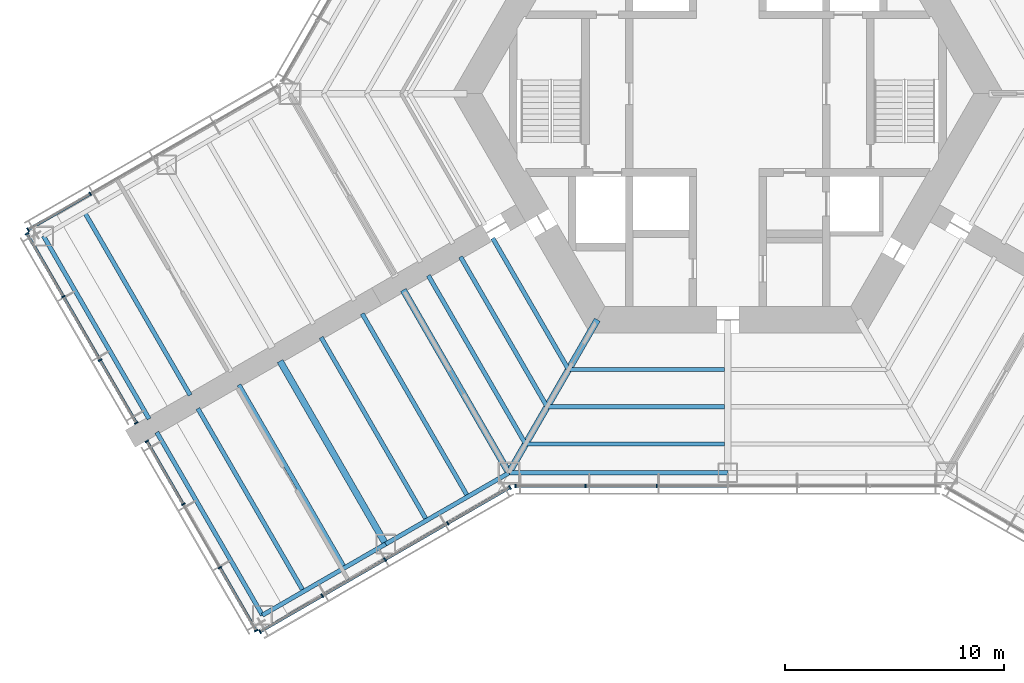
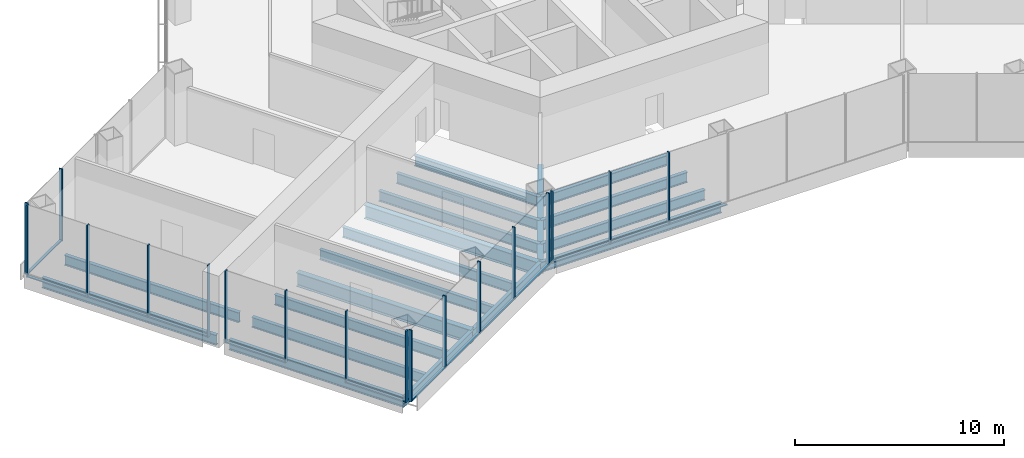
# One storey, part 2 of 16: 31 members, 19 beams, 5 elements without a shape of their own.
"""IFC4 building model written with IfcOpenShell, lengths in metres."""

from ifc_helpers import new_model, si_unit, direction, frame, origin, origin_2d, place, context, subcontext, project, spatial, rectangle, i_section, extrude, material, material_profile, profile_set, type_object, element, aggregate, save


model = new_model("IFC4")

# Units and contexts
model_context = context("Model", 3, precision=1e-05, world=origin(), true_north=direction((0.0, 1.0)))
body_context = subcontext(model_context, "Body", "Model", "MODEL_VIEW")
ifc_project = project(units=[si_unit("LENGTHUNIT", "METRE"), si_unit("AREAUNIT", "SQUARE_METRE"), si_unit("VOLUMEUNIT", "CUBIC_METRE"), si_unit("PLANEANGLEUNIT", "RADIAN"), si_unit("MASSUNIT", "GRAM", prefix="KILO")], contexts=[model_context])

# Site, building, storey
site_placement = place(None, origin())
site = spatial("IfcSite", under=ifc_project, at=site_placement, CompositionType="ELEMENT")
building_placement = place(site_placement, origin())
building = spatial("IfcBuilding", under=site, at=building_placement, Name="Kasaneha Research Tower", CompositionType="ELEMENT")
storey_placement = place(building_placement, frame((0.0, 0.0, 14.199951171875)))
storey = spatial("IfcBuildingStorey", under=building, at=storey_placement, Name="L04", CompositionType="ELEMENT", Elevation=14.199951171875)

# Beams
ifc_material_1 = material(Name="Steel SN490B", Category="steel")
ifc_material_profile_1 = material_profile(ifc_material_1, i_section(OverallWidth=0.199951171875, OverallDepth=0.60009765625, WebThickness=0.010986328125, FlangeThickness=0.01708984375, FilletRadius=0.012939453125, at=origin_2d()), Name="H-600x200x11x17")
ifc_profile_set_1 = profile_set([ifc_material_profile_1], Name="Steel SN490B")
beam_type_1 = type_object("IfcBeamType", Name="B1-1 secondary beam H-600x200x11x17", PredefinedType="JOIST", material=ifc_profile_set_1)
beam_1_placement = place(storey_placement, frame((-7.274658203125, -12.60009765625, -0.5), z_axis=(-0.499972710878, 0.866041158593, 0.0), x_axis=(-0.866041158593, -0.499972710878, 0.0)))
element("IfcBeam", 1, at=beam_1_placement, inside=storey, type_object=beam_type_1, Name="Secondary beam RS210R1 L04", PredefinedType="JOIST", context=body_context, shape_type="SweptSolid", body=[
    extrude(i_section(OverallWidth=0.199951171875, OverallDepth=0.60009765625, WebThickness=0.010986328125, FlangeThickness=0.01708984375, FilletRadius=0.012939453125, at=origin_2d()), origin(), (0.0, 0.0, 1.0), 6.9248046875),
])
beam_2_placement = place(storey_placement, frame((-8.256103515625, -14.300048828125, -0.5), z_axis=(-0.500004902938, 0.866022573054, 0.0), x_axis=(-0.866022573054, -0.500004902938, 0.0)))
element("IfcBeam", 2, at=beam_2_placement, inside=storey, type_object=beam_type_1, Name="Secondary beam RS210R2 L04", PredefinedType="JOIST", context=body_context, shape_type="SweptSolid", body=[
    extrude(i_section(OverallWidth=0.199951171875, OverallDepth=0.60009765625, WebThickness=0.010986328125, FlangeThickness=0.01708984375, FilletRadius=0.012939453125, at=origin_2d()), origin(), (0.0, 0.0, 1.0), 7.90625),
])
beam_3_placement = place(storey_placement, frame((-9.237548828125, -16.0, -0.5), z_axis=(-0.500009382636, 0.866019986649, 0.0), x_axis=(-0.866019986649, -0.500009382636, 0.0)))
element("IfcBeam", 3, at=beam_3_placement, inside=storey, type_object=beam_type_1, Name="Secondary beam RS210R3 L04", PredefinedType="JOIST", context=body_context, shape_type="SweptSolid", body=[
    extrude(i_section(OverallWidth=0.199951171875, OverallDepth=0.60009765625, WebThickness=0.010986328125, FlangeThickness=0.01708984375, FilletRadius=0.012939453125, at=origin_2d()), origin(), (0.0, 0.0, 1.0), 8.887451171875),
])
beam_4_placement = place(storey_placement, frame((-7.274658203125, -12.60009765625, -0.5), z_axis=(1.0, 0.0, 0.0), x_axis=(0.0, 1.0, 0.0)))
element("IfcBeam", 4, at=beam_4_placement, inside=storey, type_object=beam_type_1, Name="Secondary beam RS270L1 L04", PredefinedType="JOIST", context=body_context, shape_type="SweptSolid", body=[
    extrude(i_section(OverallWidth=0.199951171875, OverallDepth=0.60009765625, WebThickness=0.010986328125, FlangeThickness=0.01708984375, FilletRadius=0.012939453125, at=origin_2d()), origin(), (0.0, 0.0, 1.0), 7.124755859375),
])
beam_5_placement = place(storey_placement, frame((-8.256103515625, -14.300048828125, -0.5), z_axis=(1.0, 0.0, 0.0), x_axis=(0.0, 1.0, 0.0)))
element("IfcBeam", 5, at=beam_5_placement, inside=storey, type_object=beam_type_1, Name="Secondary beam RS270L2 L04", PredefinedType="JOIST", context=body_context, shape_type="SweptSolid", body=[
    extrude(i_section(OverallWidth=0.199951171875, OverallDepth=0.60009765625, WebThickness=0.010986328125, FlangeThickness=0.01708984375, FilletRadius=0.012939453125, at=origin_2d()), origin(), (0.0, 0.0, 1.0), 8.106201171875),
])
beam_6_placement = place(storey_placement, frame((-9.237548828125, -16.0, -0.5), z_axis=(1.0, 0.0, 0.0), x_axis=(0.0, 1.0, 0.0)))
element("IfcBeam", 6, at=beam_6_placement, inside=storey, type_object=beam_type_1, Name="Secondary beam RS270L3 L04", PredefinedType="JOIST", context=body_context, shape_type="SweptSolid", body=[
    extrude(i_section(OverallWidth=0.199951171875, OverallDepth=0.60009765625, WebThickness=0.010986328125, FlangeThickness=0.01708984375, FilletRadius=0.012939453125, at=origin_2d()), origin(), (0.0, 0.0, 1.0), 9.087646484375),
])
ifc_material_2 = material(Name="Steel SN490B", Category="steel")
ifc_material_profile_2 = material_profile(ifc_material_2, i_section(OverallWidth=0.198974609375, OverallDepth=0.595947265625, WebThickness=0.010009765625, FlangeThickness=0.014892578125, FilletRadius=0.012939453125, at=origin_2d()), Name="H-596x199x10x15")
ifc_profile_set_2 = profile_set([ifc_material_profile_2], Name="Steel SN490B")
beam_type_2 = type_object("IfcBeamType", Name="B2-1 secondary beam H-596x199x10x15", PredefinedType="JOIST", material=ifc_profile_set_2)
for number, where, z_axis, x_axis, name in (
    (7, (-29.3818359375, -5.416748046875, -0.498046875), (0.499994742786, -0.866028439017, 0.0), (0.866028439017, 0.499994742786, 0.0), "Secondary beam WBBP4 L04"),
    (8, (-11.87646484375, -18.40380859375, -0.498046875), (-0.499994742786, 0.866028439017, 0.0), (-0.866028439017, -0.499994742786, 0.0), "Secondary beam WBBN1 L04"),
    (9, (-13.752685546875, -19.487060546875, -0.498046875), (-0.500024672494, 0.866011158645, 0.0), (-0.866011158645, -0.500024672494, 0.0), "Secondary beam WBBN2 L04"),
    (10, (-17.505615234375, -21.65380859375, -0.498046875), (-0.499994742786, 0.866028439017, 0.0), (-0.866028439017, -0.499994742786, 0.0), "Secondary beam WBBN3 L04"),
    (11, (-19.3818359375, -22.737060546875, -0.498046875), (-0.500024672494, 0.866011158645, 0.0), (-0.866011158645, -0.500024672494, 0.0), "Secondary beam WBBN4 L04"),
):
    element("IfcBeam", number, at=place(storey_placement, frame(where, z_axis=z_axis, x_axis=x_axis)), inside=storey, type_object=beam_type_2, Name=name, PredefinedType="JOIST", context=body_context, shape_type="SweptSolid", body=[
        extrude(i_section(OverallWidth=0.198974609375, OverallDepth=0.595947265625, WebThickness=0.010009765625, FlangeThickness=0.014892578125, FilletRadius=0.012939453125, at=origin_2d()), origin(), (0.0, 0.0, 1.0), 9.64990234375),
    ])

# Curtain wall, members
ifc_material_3 = material(Name="Glass and aluminium", Category="aluminium")
curtain_wall_type = type_object("IfcCurtainWallType", Name="Wet laboratory curtain wall", PredefinedType="USERDEFINED", material=ifc_material_3)
curtain_wall_1_placement = place(storey_placement, origin())
curtain_wall_1 = element("IfcCurtainWall", 12, at=curtain_wall_1_placement, inside=storey, type_object=curtain_wall_type, Name="CW-L1 L04 run 01a", ObjectType="UNITISED CURTAIN WALL", PredefinedType="USERDEFINED")
ifc_material_4 = material(Name="Aluminium 6063-T6", Category="aluminium")
ifc_material_profile_3 = material_profile(ifc_material_4, rectangle(XDim=0.06494140625, YDim=0.179931640625, at=origin_2d()), Name="CW-L1 mullion 65x180")
ifc_profile_set_3 = profile_set([ifc_material_profile_3], Name="Aluminium 6063-T6")
member_type_1 = type_object("IfcMemberType", Name="CW-L1 mullion", PredefinedType="MULLION", material=ifc_profile_set_3)
member_1_placement = place(storey_placement, frame((-21.36328125, -24.573974609375, 0.0), z_axis=(0.0, 0.0, 1.0), x_axis=(0.866025411464, 0.499999986699, 0.0)))
member_1 = element("IfcMember", 13, at=member_1_placement, type_object=member_type_1, Name="CW-L1 mullion 1", PredefinedType="MULLION", context=body_context, shape_type="SweptSolid", body=[
    extrude(rectangle(XDim=0.06494140625, YDim=0.179931640625, at=origin_2d()), origin(), (0.0, 0.0, 1.0), 4.199951171875),
])
member_2_placement = place(storey_placement, frame((-18.52490234375, -22.935302734375, 0.0), z_axis=(0.0, 0.0, 1.0), x_axis=(0.866025411464, 0.499999986699, 0.0)))
member_2 = element("IfcMember", 14, at=member_2_placement, type_object=member_type_1, Name="CW-L1 mullion 2", PredefinedType="MULLION", context=body_context, shape_type="SweptSolid", body=[
    extrude(rectangle(XDim=0.06494140625, YDim=0.179931640625, at=origin_2d()), origin(), (0.0, 0.0, 1.0), 4.199951171875),
])
member_3_placement = place(storey_placement, frame((-15.65869140625, -21.2802734375, 0.0), z_axis=(0.0, 0.0, 1.0), x_axis=(0.866025411464, 0.499999986699, 0.0)))
member_3 = element("IfcMember", 15, at=member_3_placement, type_object=member_type_1, Name="CW-L1 mullion 3", PredefinedType="MULLION", context=body_context, shape_type="SweptSolid", body=[
    extrude(rectangle(XDim=0.06494140625, YDim=0.179931640625, at=origin_2d()), origin(), (0.0, 0.0, 1.0), 4.199951171875),
])
member_4_placement = place(storey_placement, frame((-12.792236328125, -19.62548828125, 0.0), z_axis=(0.0, 0.0, 1.0), x_axis=(0.866025411464, 0.499999986699, 0.0)))
member_4 = element("IfcMember", 16, at=member_4_placement, type_object=member_type_1, Name="CW-L1 mullion 4", PredefinedType="MULLION", context=body_context, shape_type="SweptSolid", body=[
    extrude(rectangle(XDim=0.06494140625, YDim=0.179931640625, at=origin_2d()), origin(), (0.0, 0.0, 1.0), 4.199951171875),
])
member_5_placement = place(storey_placement, frame((-9.953857421875, -17.98681640625, 0.0), z_axis=(0.0, 0.0, 1.0), x_axis=(0.866025411464, 0.499999986699, 0.0)))
member_5 = element("IfcMember", 17, at=member_5_placement, type_object=member_type_1, Name="CW-L1 mullion 5", PredefinedType="MULLION", context=body_context, shape_type="SweptSolid", body=[
    extrude(rectangle(XDim=0.06494140625, YDim=0.179931640625, at=origin_2d()), origin(), (0.0, 0.0, 1.0), 4.199951171875),
])

curtain_wall_2_placement = place(storey_placement, origin())
curtain_wall_2 = element("IfcCurtainWall", 18, at=curtain_wall_2_placement, inside=storey, type_object=curtain_wall_type, Name="CW-L1 L04 run 02a", ObjectType="UNITISED CURTAIN WALL", PredefinedType="USERDEFINED")
member_6_placement = place(storey_placement, frame((-9.706787109375, -17.92041015625, 0.0), z_axis=(0.0, 0.0, 1.0), x_axis=(1.0, 0.0, 0.0)))
member_6 = element("IfcMember", 19, at=member_6_placement, type_object=member_type_1, Name="CW-L1 mullion 1", PredefinedType="MULLION", context=body_context, shape_type="SweptSolid", body=[
    extrude(rectangle(XDim=0.06494140625, YDim=0.179931640625, at=origin_2d()), origin(), (0.0, 0.0, 1.0), 4.199951171875),
])
member_7_placement = place(storey_placement, frame((-6.492919921875, -17.92041015625, 0.0), z_axis=(0.0, 0.0, 1.0), x_axis=(1.0, 0.0, 0.0)))
member_7 = element("IfcMember", 20, at=member_7_placement, type_object=member_type_1, Name="CW-L1 mullion 2", PredefinedType="MULLION", context=body_context, shape_type="SweptSolid", body=[
    extrude(rectangle(XDim=0.06494140625, YDim=0.179931640625, at=origin_2d()), origin(), (0.0, 0.0, 1.0), 4.199951171875),
])
member_8_placement = place(storey_placement, frame((-3.246337890625, -17.92041015625, 0.0), z_axis=(0.0, 0.0, 1.0), x_axis=(1.0, 0.0, 0.0)))
member_8 = element("IfcMember", 21, at=member_8_placement, type_object=member_type_1, Name="CW-L1 mullion 3", PredefinedType="MULLION", context=body_context, shape_type="SweptSolid", body=[
    extrude(rectangle(XDim=0.06494140625, YDim=0.179931640625, at=origin_2d()), origin(), (0.0, 0.0, 1.0), 4.199951171875),
])

curtain_wall_3_placement = place(storey_placement, origin())
curtain_wall_3 = element("IfcCurtainWall", 22, at=curtain_wall_3_placement, inside=storey, type_object=curtain_wall_type, Name="CW-L1 L04 run 13a", ObjectType="UNITISED CURTAIN WALL", PredefinedType="USERDEFINED")
member_9_placement = place(storey_placement, frame((-29.125, -4.575439453125, 0.0), z_axis=(0.0, 0.0, 1.0), x_axis=(-0.866025411464, -0.499999986699, 0.0)))
member_9 = element("IfcMember", 23, at=member_9_placement, type_object=member_type_1, Name="CW-L1 mullion 4", PredefinedType="MULLION", context=body_context, shape_type="SweptSolid", body=[
    extrude(rectangle(XDim=0.06494140625, YDim=0.179931640625, at=origin_2d()), origin(), (0.0, 0.0, 1.0), 4.199951171875),
])
member_10_placement = place(storey_placement, frame((-31.963134765625, -6.214111328125, 0.0), z_axis=(0.0, 0.0, 1.0), x_axis=(-0.866025411464, -0.499999986699, 0.0)))
member_10 = element("IfcMember", 24, at=member_10_placement, type_object=member_type_1, Name="CW-L1 mullion 5", PredefinedType="MULLION", context=body_context, shape_type="SweptSolid", body=[
    extrude(rectangle(XDim=0.06494140625, YDim=0.179931640625, at=origin_2d()), origin(), (0.0, 0.0, 1.0), 4.199951171875),
])

curtain_wall_4_placement = place(storey_placement, origin())
curtain_wall_4 = element("IfcCurtainWall", 25, at=curtain_wall_4_placement, inside=storey, type_object=curtain_wall_type, Name="CW-L1 L04 run 14a", ObjectType="UNITISED CURTAIN WALL", PredefinedType="USERDEFINED")
member_11_placement = place(storey_placement, frame((-32.01171875, -6.39501953125, 0.0), z_axis=(0.0, 0.0, 1.0), x_axis=(0.500000011442, -0.866025397178, 0.0)))
member_11 = element("IfcMember", 26, at=member_11_placement, type_object=member_type_1, Name="CW-L1 mullion 1", PredefinedType="MULLION", context=body_context, shape_type="SweptSolid", body=[
    extrude(rectangle(XDim=0.06494140625, YDim=0.179931640625, at=origin_2d()), origin(), (0.0, 0.0, 1.0), 4.199951171875),
])
member_12_placement = place(storey_placement, frame((-30.35302734375, -9.26806640625, 0.0), z_axis=(0.0, 0.0, 1.0), x_axis=(0.500000011442, -0.866025397178, 0.0)))
member_12 = element("IfcMember", 27, at=member_12_placement, type_object=member_type_1, Name="CW-L1 mullion 2", PredefinedType="MULLION", context=body_context, shape_type="SweptSolid", body=[
    extrude(rectangle(XDim=0.06494140625, YDim=0.179931640625, at=origin_2d()), origin(), (0.0, 0.0, 1.0), 4.199951171875),
])
member_13_placement = place(storey_placement, frame((-28.677978515625, -12.16943359375, 0.0), z_axis=(0.0, 0.0, 1.0), x_axis=(0.500000011442, -0.866025397178, 0.0)))
member_13 = element("IfcMember", 28, at=member_13_placement, type_object=member_type_1, Name="CW-L1 mullion 3", PredefinedType="MULLION", context=body_context, shape_type="SweptSolid", body=[
    extrude(rectangle(XDim=0.06494140625, YDim=0.179931640625, at=origin_2d()), origin(), (0.0, 0.0, 1.0), 4.199951171875),
])
member_14_placement = place(storey_placement, frame((-27.019287109375, -15.04248046875, 0.0), z_axis=(0.0, 0.0, 1.0), x_axis=(0.500000011442, -0.866025397178, 0.0)))
member_14 = element("IfcMember", 29, at=member_14_placement, type_object=member_type_1, Name="CW-L1 mullion 4", PredefinedType="MULLION", context=body_context, shape_type="SweptSolid", body=[
    extrude(rectangle(XDim=0.06494140625, YDim=0.179931640625, at=origin_2d()), origin(), (0.0, 0.0, 1.0), 4.199951171875),
])

curtain_wall_5_placement = place(storey_placement, origin())
curtain_wall_5 = element("IfcCurtainWall", 30, at=curtain_wall_5_placement, inside=storey, type_object=curtain_wall_type, Name="CW-L1 L04 run 15a", ObjectType="UNITISED CURTAIN WALL", PredefinedType="USERDEFINED")
member_15_placement = place(storey_placement, frame((-26.53662109375, -15.878173828125, 0.0), z_axis=(0.0, 0.0, 1.0), x_axis=(0.500000011442, -0.866025397178, 0.0)))
member_15 = element("IfcMember", 31, at=member_15_placement, type_object=member_type_1, Name="CW-L1 mullion 1", PredefinedType="MULLION", context=body_context, shape_type="SweptSolid", body=[
    extrude(rectangle(XDim=0.06494140625, YDim=0.179931640625, at=origin_2d()), origin(), (0.0, 0.0, 1.0), 4.199951171875),
])
member_16_placement = place(storey_placement, frame((-24.8779296875, -18.751220703125, 0.0), z_axis=(0.0, 0.0, 1.0), x_axis=(0.500000011442, -0.866025397178, 0.0)))
member_16 = element("IfcMember", 32, at=member_16_placement, type_object=member_type_1, Name="CW-L1 mullion 2", PredefinedType="MULLION", context=body_context, shape_type="SweptSolid", body=[
    extrude(rectangle(XDim=0.06494140625, YDim=0.179931640625, at=origin_2d()), origin(), (0.0, 0.0, 1.0), 4.199951171875),
])
member_17_placement = place(storey_placement, frame((-23.202880859375, -21.65234375, 0.0), z_axis=(0.0, 0.0, 1.0), x_axis=(0.500000011442, -0.866025397178, 0.0)))
member_17 = element("IfcMember", 33, at=member_17_placement, type_object=member_type_1, Name="CW-L1 mullion 3", PredefinedType="MULLION", context=body_context, shape_type="SweptSolid", body=[
    extrude(rectangle(XDim=0.06494140625, YDim=0.179931640625, at=origin_2d()), origin(), (0.0, 0.0, 1.0), 4.199951171875),
])
member_18_placement = place(storey_placement, frame((-21.544189453125, -24.525390625, 0.0), z_axis=(0.0, 0.0, 1.0), x_axis=(0.500000011442, -0.866025397178, 0.0)))
member_18 = element("IfcMember", 34, at=member_18_placement, type_object=member_type_1, Name="CW-L1 mullion 4", PredefinedType="MULLION", context=body_context, shape_type="SweptSolid", body=[
    extrude(rectangle(XDim=0.06494140625, YDim=0.179931640625, at=origin_2d()), origin(), (0.0, 0.0, 1.0), 4.199951171875),
])

# Member
ifc_material_5 = material(Name="Aluminium 6063-T6", Category="aluminium")
ifc_material_profile_4 = material_profile(ifc_material_5, rectangle(XDim=0.139892578125, YDim=0.06494140625, at=origin_2d()), Name="CW-L1 transom 140x65")
ifc_profile_set_4 = profile_set([ifc_material_profile_4], Name="Aluminium 6063-T6")
member_type_2 = type_object("IfcMemberType", Name="CW-L1 transom", PredefinedType="USERDEFINED", material=ifc_profile_set_4)
member_19_placement = place(storey_placement, frame((-21.3349609375, -24.5576171875, 0.032470703125), z_axis=(0.86600331843, 0.500038251005, 0.0), x_axis=(-0.500038251005, 0.86600331843, 0.0)))
member_19 = element("IfcMember", 35, at=member_19_placement, type_object=member_type_2, Name="CW-L1 transom 1", ObjectType="TRANSOM", PredefinedType="USERDEFINED", context=body_context, shape_type="SweptSolid", body=[
    extrude(rectangle(XDim=0.139892578125, YDim=0.06494140625, at=origin_2d()), origin(), (0.0, 0.0, 1.0), 3.212158203125),
])

member_20_placement = place(storey_placement, frame((-18.496826171875, -22.9189453125, 0.032470703125), z_axis=(0.866035229914, 0.499982980259, 0.0), x_axis=(-0.499982980259, 0.866035229914, 0.0)))
member_20 = element("IfcMember", 36, at=member_20_placement, type_object=member_type_2, Name="CW-L1 transom 2", ObjectType="TRANSOM", PredefinedType="USERDEFINED", context=body_context, shape_type="SweptSolid", body=[
    extrude(rectangle(XDim=0.139892578125, YDim=0.06494140625, at=origin_2d()), origin(), (0.0, 0.0, 1.0), 3.24462890625),
])

member_21_placement = place(storey_placement, frame((-15.63037109375, -21.26416015625, 0.032470703125), z_axis=(0.866002649306, 0.500039409842, 0.0), x_axis=(-0.500039409842, 0.866002649306, 0.0)))
member_21 = element("IfcMember", 37, at=member_21_placement, type_object=member_type_2, Name="CW-L1 transom 3", ObjectType="TRANSOM", PredefinedType="USERDEFINED", context=body_context, shape_type="SweptSolid", body=[
    extrude(rectangle(XDim=0.139892578125, YDim=0.06494140625, at=origin_2d()), origin(), (0.0, 0.0, 1.0), 3.244873046875),
])

member_22_placement = place(storey_placement, frame((-12.76416015625, -19.609130859375, 0.032470703125), z_axis=(0.866022320763, 0.500005339912, 0.0), x_axis=(-0.500005339912, 0.866022320763, 0.0)))
member_22 = element("IfcMember", 38, at=member_22_placement, type_object=member_type_2, Name="CW-L1 transom 4", ObjectType="TRANSOM", PredefinedType="USERDEFINED", context=body_context, shape_type="SweptSolid", body=[
    extrude(rectangle(XDim=0.139892578125, YDim=0.06494140625, at=origin_2d()), origin(), (0.0, 0.0, 1.0), 3.21240234375),
])

aggregate(curtain_wall_1, [member_1, member_2, member_3, member_4, member_5, member_19, member_20, member_21, member_22])

member_23_placement = place(storey_placement, frame((-9.67431640625, -17.92041015625, 0.032470703125), z_axis=(1.0, 0.0, 0.0), x_axis=(0.0, 1.0, 0.0)))
member_23 = element("IfcMember", 39, at=member_23_placement, type_object=member_type_2, Name="CW-L1 transom 1", ObjectType="TRANSOM", PredefinedType="USERDEFINED", context=body_context, shape_type="SweptSolid", body=[
    extrude(rectangle(XDim=0.139892578125, YDim=0.06494140625, at=origin_2d()), origin(), (0.0, 0.0, 1.0), 3.14892578125),
])

member_24_placement = place(storey_placement, frame((-6.460205078125, -17.92041015625, 0.032470703125), z_axis=(1.0, 0.0, 0.0), x_axis=(0.0, 1.0, 0.0)))
member_24 = element("IfcMember", 40, at=member_24_placement, type_object=member_type_2, Name="CW-L1 transom 2", ObjectType="TRANSOM", PredefinedType="USERDEFINED", context=body_context, shape_type="SweptSolid", body=[
    extrude(rectangle(XDim=0.139892578125, YDim=0.06494140625, at=origin_2d()), origin(), (0.0, 0.0, 1.0), 3.181396484375),
])

member_25_placement = place(storey_placement, frame((-3.2138671875, -17.92041015625, 0.032470703125), z_axis=(1.0, 0.0, 0.0), x_axis=(0.0, 1.0, 0.0)))
member_25 = element("IfcMember", 41, at=member_25_placement, type_object=member_type_2, Name="CW-L1 transom 3", ObjectType="TRANSOM", PredefinedType="USERDEFINED", context=body_context, shape_type="SweptSolid", body=[
    extrude(rectangle(XDim=0.139892578125, YDim=0.06494140625, at=origin_2d()), origin(), (0.0, 0.0, 1.0), 3.181396484375),
])

aggregate(curtain_wall_2, [member_6, member_7, member_8, member_23, member_24, member_25])

member_26_placement = place(storey_placement, frame((-29.153076171875, -4.591796875, 0.032470703125), z_axis=(-0.866022320763, -0.500005339912, 0.0), x_axis=(0.500005339912, -0.866022320763, 0.0)))
member_26 = element("IfcMember", 42, at=member_26_placement, type_object=member_type_2, Name="CW-L1 transom 4", ObjectType="TRANSOM", PredefinedType="USERDEFINED", context=body_context, shape_type="SweptSolid", body=[
    extrude(rectangle(XDim=0.139892578125, YDim=0.06494140625, at=origin_2d()), origin(), (0.0, 0.0, 1.0), 3.21240234375),
])

aggregate(curtain_wall_3, [member_9, member_10, member_26])

member_27_placement = place(storey_placement, frame((-31.995361328125, -6.42333984375, 0.032470703125), z_axis=(0.500006189695, -0.866021830133, 0.0), x_axis=(0.866021830133, 0.500006189695, 0.0)))
member_27 = element("IfcMember", 43, at=member_27_placement, type_object=member_type_2, Name="CW-L1 transom 1", ObjectType="TRANSOM", PredefinedType="USERDEFINED", context=body_context, shape_type="SweptSolid", body=[
    extrude(rectangle(XDim=0.139892578125, YDim=0.06494140625, at=origin_2d()), origin(), (0.0, 0.0, 1.0), 3.25244140625),
])

member_28_placement = place(storey_placement, frame((-30.336669921875, -9.29638671875, 0.032470703125), z_axis=(0.500039835994, -0.866002403241, 0.0), x_axis=(0.866002403241, 0.500039835994, 0.0)))
member_28 = element("IfcMember", 44, at=member_28_placement, type_object=member_type_2, Name="CW-L1 transom 2", ObjectType="TRANSOM", PredefinedType="USERDEFINED", context=body_context, shape_type="SweptSolid", body=[
    extrude(rectangle(XDim=0.139892578125, YDim=0.06494140625, at=origin_2d()), origin(), (0.0, 0.0, 1.0), 3.284912109375),
])

member_29_placement = place(storey_placement, frame((-28.66162109375, -12.197509765625, 0.032470703125), z_axis=(0.500006189695, -0.866021830133, 0.0), x_axis=(0.866021830133, 0.500006189695, 0.0)))
member_29 = element("IfcMember", 45, at=member_29_placement, type_object=member_type_2, Name="CW-L1 transom 3", ObjectType="TRANSOM", PredefinedType="USERDEFINED", context=body_context, shape_type="SweptSolid", body=[
    extrude(rectangle(XDim=0.139892578125, YDim=0.06494140625, at=origin_2d()), origin(), (0.0, 0.0, 1.0), 3.25244140625),
])

aggregate(curtain_wall_4, [member_11, member_12, member_13, member_14, member_27, member_28, member_29])

member_30_placement = place(storey_placement, frame((-26.5205078125, -15.90625, 0.032470703125), z_axis=(0.500006189695, -0.866021830133, 0.0), x_axis=(0.866021830133, 0.500006189695, 0.0)))
member_30 = element("IfcMember", 46, at=member_30_placement, type_object=member_type_2, Name="CW-L1 transom 1", ObjectType="TRANSOM", PredefinedType="USERDEFINED", context=body_context, shape_type="SweptSolid", body=[
    extrude(rectangle(XDim=0.139892578125, YDim=0.06494140625, at=origin_2d()), origin(), (0.0, 0.0, 1.0), 3.25244140625),
])

member_31_placement = place(storey_placement, frame((-23.186767578125, -21.680419921875, 0.032470703125), z_axis=(0.499973687205, -0.866040594951, 0.0), x_axis=(0.866040594951, 0.499973687205, 0.0)))
member_31 = element("IfcMember", 47, at=member_31_placement, type_object=member_type_2, Name="CW-L1 transom 3", ObjectType="TRANSOM", PredefinedType="USERDEFINED", context=body_context, shape_type="SweptSolid", body=[
    extrude(rectangle(XDim=0.139892578125, YDim=0.06494140625, at=origin_2d()), origin(), (0.0, 0.0, 1.0), 3.252685546875),
])

aggregate(curtain_wall_5, [member_15, member_16, member_17, member_18, member_30, member_31])

# Beams
ifc_material_6 = material(Name="Steel SN490B", Category="steel")
ifc_material_profile_5 = material_profile(ifc_material_6, i_section(OverallWidth=0.300048828125, OverallDepth=0.699951171875, WebThickness=0.012939453125, FlangeThickness=0.02392578125, FilletRadius=0.01806640625, at=origin_2d()), Name="H-700x300x13x24")
ifc_profile_set_5 = profile_set([ifc_material_profile_5], Name="Steel SN490B")
beam_type_3 = type_object("IfcBeamType", Name="G1-1 radial girder H-700x300x13x24", PredefinedType="BEAM", material=ifc_profile_set_5)
beam_7_placement = place(storey_placement, frame((-5.961181640625, -10.324951171875, -0.550048828125), z_axis=(-0.49999105496, -0.866030568144, 0.0), x_axis=(0.866030568144, -0.49999105496, 0.0)))
element("IfcBeam", 48, at=beam_7_placement, inside=storey, type_object=beam_type_3, Name="Radial girder RV240 L04", PredefinedType="BEAM", context=body_context, shape_type="SweptSolid", body=[
    extrude(i_section(OverallWidth=0.300048828125, OverallDepth=0.699951171875, WebThickness=0.012939453125, FlangeThickness=0.02392578125, FilletRadius=0.01806640625, at=origin_2d()), origin(), (0.0, 0.0, 1.0), 8.077880859375),
])
ifc_material_7 = material(Name="Steel SN490B", Category="steel")
ifc_material_profile_6 = material_profile(ifc_material_7, i_section(OverallWidth=0.300048828125, OverallDepth=0.7919921875, WebThickness=0.013916015625, FlangeThickness=0.02197265625, FilletRadius=0.01806640625, at=origin_2d()), Name="H-792x300x14x22")
ifc_profile_set_6 = profile_set([ifc_material_profile_6], Name="Steel SN490B")
beam_type_4 = type_object("IfcBeamType", Name="G3-1 plate edge girder H-792x300x14x22", PredefinedType="BEAM", material=ifc_profile_set_6)
beam_8_placement = place(storey_placement, frame((-10.0, -17.320556640625, -0.595947265625), z_axis=(-0.499994742786, 0.866028439017, 0.0), x_axis=(-0.866028439017, -0.499994742786, 0.0)))
element("IfcBeam", 49, at=beam_8_placement, inside=storey, type_object=beam_type_4, Name="Plate edge girder PEBN L04", PredefinedType="BEAM", context=body_context, shape_type="SweptSolid", body=[
    extrude(i_section(OverallWidth=0.300048828125, OverallDepth=0.7919921875, WebThickness=0.013916015625, FlangeThickness=0.02197265625, FilletRadius=0.01806640625, at=origin_2d()), origin(), (0.0, 0.0, 1.0), 9.64990234375),
])
ifc_material_8 = material(Name="Steel SN490B", Category="steel")
ifc_material_profile_7 = material_profile(ifc_material_8, i_section(OverallWidth=0.300048828125, OverallDepth=0.800048828125, WebThickness=0.013916015625, FlangeThickness=0.02587890625, FilletRadius=0.01806640625, at=origin_2d()), Name="H-800x300x14x26")
ifc_profile_set_7 = profile_set([ifc_material_profile_7], Name="Steel SN490B")
beam_type_5 = type_object("IfcBeamType", Name="G4-1 wing girder H-800x300x14x26", PredefinedType="BEAM", material=ifc_profile_set_7)
beam_9_placement = place(storey_placement, frame((-15.629150390625, -20.570556640625, -0.599853515625), z_axis=(-0.499994742786, 0.866028439017, 0.0), x_axis=(-0.866028439017, -0.499994742786, 0.0)))
element("IfcBeam", 50, at=beam_9_placement, inside=storey, type_object=beam_type_5, Name="Wing girder WGBN L04", PredefinedType="BEAM", context=body_context, shape_type="SweptSolid", body=[
    extrude(i_section(OverallWidth=0.300048828125, OverallDepth=0.800048828125, WebThickness=0.013916015625, FlangeThickness=0.02587890625, FilletRadius=0.01806640625, at=origin_2d()), origin(), (0.0, 0.0, 1.0), 9.64990234375),
])
ifc_material_9 = material(Name="Steel SN490B", Category="steel")
ifc_material_profile_8 = material_profile(ifc_material_9, i_section(OverallWidth=0.199951171875, OverallDepth=0.60009765625, WebThickness=0.010986328125, FlangeThickness=0.01708984375, FilletRadius=0.012939453125, at=origin_2d()), Name="H-600x200x11x17")
ifc_profile_set_8 = profile_set([ifc_material_profile_8], Name="Steel SN490B")
beam_type_6 = type_object("IfcBeamType", Name="SB1-1 spandrel beam H-600x200x11x17", PredefinedType="SPANDREL", material=ifc_profile_set_8)
beam_10_placement = place(storey_placement, frame((-10.0, -17.320556640625, -0.5), z_axis=(1.0, 0.0, 0.0), x_axis=(0.0, 1.0, 0.0)))
element("IfcBeam", 51, at=beam_10_placement, inside=storey, type_object=beam_type_6, Name="Spandrel beam SR270L L04", PredefinedType="SPANDREL", context=body_context, shape_type="SweptSolid", body=[
    extrude(i_section(OverallWidth=0.199951171875, OverallDepth=0.60009765625, WebThickness=0.010986328125, FlangeThickness=0.01708984375, FilletRadius=0.012939453125, at=origin_2d()), origin(), (0.0, 0.0, 1.0), 10.0),
])
ifc_material_10 = material(Name="Steel SN490B", Category="steel")
ifc_material_profile_9 = material_profile(ifc_material_10, i_section(OverallWidth=0.199951171875, OverallDepth=0.5, WebThickness=0.010009765625, FlangeThickness=0.01611328125, FilletRadius=0.012939453125, at=origin_2d()), Name="H-500x200x10x16")
ifc_profile_set_9 = profile_set([ifc_material_profile_9], Name="Steel SN490B")
beam_type_7 = type_object("IfcBeamType", Name="SB2-1 spandrel beam H-500x200x10x16", PredefinedType="SPANDREL", material=ifc_profile_set_9)
for number, where, z_axis, x_axis, name in (
    (52, (-10.0, -17.320556640625, -0.449951171875), (-0.866024837091, -0.50000098154, 0.0), (0.50000098154, -0.866024837091, 0.0), "Spandrel beam WSBN1 L04"),
    (53, (-15.629150390625, -20.570556640625, -0.449951171875), (-0.866024837091, -0.50000098154, 0.0), (0.50000098154, -0.866024837091, 0.0), "Spandrel beam WSBN2 L04"),
):
    element("IfcBeam", number, at=place(storey_placement, frame(where, z_axis=z_axis, x_axis=x_axis)), inside=storey, type_object=beam_type_7, Name=name, PredefinedType="SPANDREL", context=body_context, shape_type="SweptSolid", body=[
        extrude(i_section(OverallWidth=0.199951171875, OverallDepth=0.5, WebThickness=0.010009765625, FlangeThickness=0.01611328125, FilletRadius=0.012939453125, at=origin_2d()), origin(), (0.0, 0.0, 1.0), 6.5),
    ])
ifc_material_11 = material(Name="Steel SN490B", Category="steel")
ifc_material_profile_10 = material_profile(ifc_material_11, i_section(OverallWidth=0.199951171875, OverallDepth=0.60009765625, WebThickness=0.010986328125, FlangeThickness=0.01708984375, FilletRadius=0.012939453125, at=origin_2d()), Name="H-600x200x11x17")
ifc_profile_set_10 = profile_set([ifc_material_profile_10], Name="Steel SN490B")
beam_type_8 = type_object("IfcBeamType", Name="SB3-1 spandrel beam H-600x200x11x17", PredefinedType="SPANDREL", material=ifc_profile_set_10)
for number, where, z_axis, x_axis, name in (
    (54, (-31.25830078125, -6.5, -0.5), (0.499994742786, -0.866028439017, 0.0), (0.866028439017, 0.499994742786, 0.0), "Spandrel beam WTBP L04"),
    (55, (-21.25830078125, -23.820556640625, -0.5), (-0.499994742786, 0.866028439017, 0.0), (-0.866028439017, -0.499994742786, 0.0), "Spandrel beam WTBN L04"),
):
    element("IfcBeam", number, at=place(storey_placement, frame(where, z_axis=z_axis, x_axis=x_axis)), inside=storey, type_object=beam_type_8, Name=name, PredefinedType="SPANDREL", context=body_context, shape_type="SweptSolid", body=[
        extrude(i_section(OverallWidth=0.199951171875, OverallDepth=0.60009765625, WebThickness=0.010986328125, FlangeThickness=0.01708984375, FilletRadius=0.012939453125, at=origin_2d()), origin(), (0.0, 0.0, 1.0), 9.64990234375),
    ])

save(model, "model.ifc")
